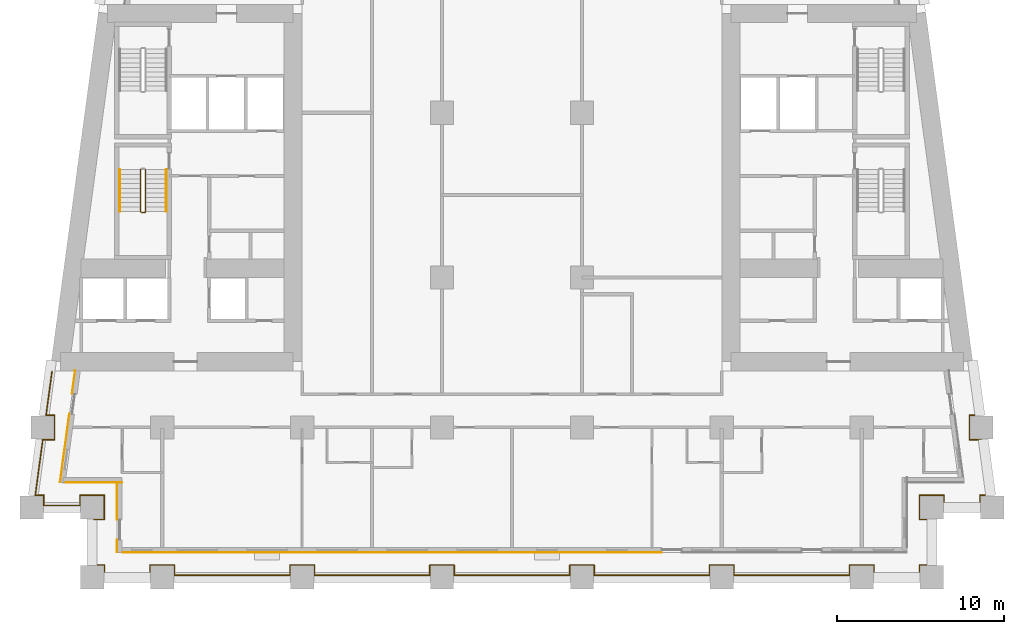
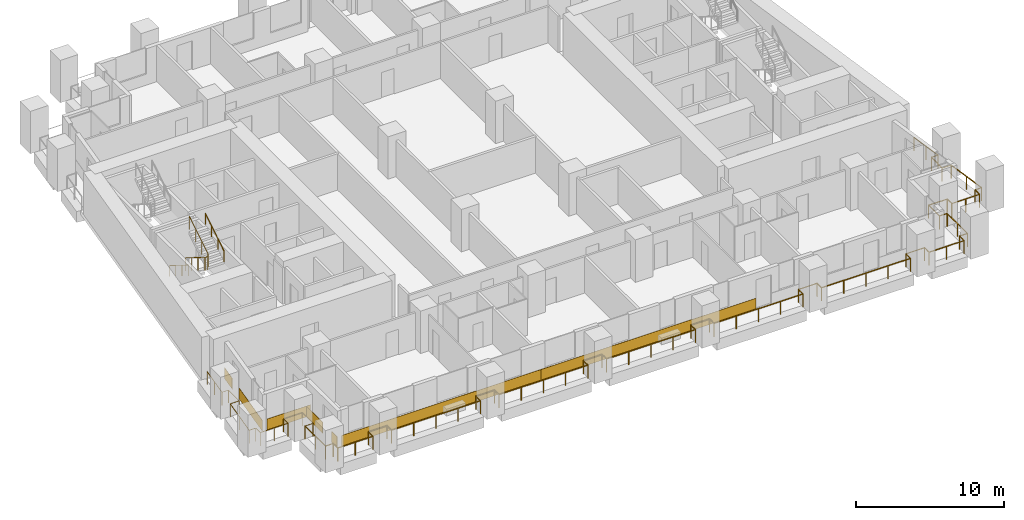
# One storey, part 8 of 12: 7 coverings, 5 railings.
"""IFC4 building model written with IfcOpenShell, lengths in metres."""

from ifc_helpers import new_model, si_unit, direction, frame, origin, origin_2d, place, context, subcontext, project, spatial, rectangle, circle, extrude, material, layer, layer_set, type_object, element, save


model = new_model("IFC4")

# Units and contexts
model_context = context("Model", 3, precision=1e-05, world=origin(), true_north=direction((0.0, 1.0)))
body_context = subcontext(model_context, "Body", "Model", "MODEL_VIEW")
ifc_project = project(units=[si_unit("LENGTHUNIT", "METRE"), si_unit("AREAUNIT", "SQUARE_METRE"), si_unit("VOLUMEUNIT", "CUBIC_METRE"), si_unit("PLANEANGLEUNIT", "RADIAN"), si_unit("MASSUNIT", "GRAM", prefix="KILO")], contexts=[model_context])

# Site, building, storey
site_placement = place(None, origin())
site = spatial("IfcSite", under=ifc_project, at=site_placement, CompositionType="ELEMENT")
building_placement = place(site_placement, origin())
building = spatial("IfcBuilding", under=site, at=building_placement, Name="Candeia Pilgrim Tower and Theatre", CompositionType="ELEMENT")
storey_placement = place(building_placement, frame((0.0, 0.0, 77.5)))
storey = spatial("IfcBuildingStorey", under=building, at=storey_placement, Name="L17", CompositionType="ELEMENT", Elevation=77.5)

# Railings
ifc_material_1 = material(Name="Stainless steel balustrade", Category="steel")
railing_type_1 = type_object("IfcRailingType", Name="G1 loggia guard 1100", PredefinedType="GUARDRAIL", material=ifc_material_1)
railing_1_placement = place(storey_placement, frame((88.320068359375, 101.469970703125, 0.0)))
element("IfcRailing", 1, at=railing_1_placement, inside=storey, type_object=railing_type_1, Name="Guard L17.1", PredefinedType="GUARDRAIL", context=body_context, shape_type="SweptSolid", body=[
    extrude(circle(Radius=0.02392578125, at=origin_2d()), frame((0.0, 0.0, 1.076171875), z_axis=(1.0, 0.0, 0.0), x_axis=(0.0, 1.0, 0.0)), (0.0, 0.0, 1.0), 0.60986328125),
    extrude(circle(Radius=0.02392578125, at=origin_2d()), frame((0.60986328125, 0.0, 1.076171875), z_axis=(0.0, 1.0, 0.0), x_axis=(-1.0, 0.0, 0.0)), (0.0, 0.0, 1.0), 1.4599609375),
    extrude(circle(Radius=0.02392578125, at=origin_2d()), frame((0.60986328125, 1.4599609375, 1.076171875), z_axis=(-1.0, 0.0, 0.0), x_axis=(0.0, -1.0, 0.0)), (0.0, 0.0, 1.0), 1.4599609375),
    extrude(circle(Radius=0.02392578125, at=origin_2d()), frame((-0.85009765625, 1.4599609375, 1.076171875), z_axis=(0.0, -1.0, 0.0), x_axis=(1.0, 0.0, 0.0)), (0.0, 0.0, 1.0), 0.60986328125),
    extrude(circle(Radius=0.02392578125, at=origin_2d()), frame((-0.85009765625, 0.85009765625, 1.076171875), z_axis=(-1.0, 0.0, 0.0), x_axis=(0.0, -1.0, 0.0)), (0.0, 0.0, 1.0), 2.174560546875),
    extrude(circle(Radius=0.02392578125, at=origin_2d()), frame((-3.024658203125, 0.85009765625, 1.076171875), z_axis=(0.0, 1.0, 0.0), x_axis=(-1.0, 0.0, 0.0)), (0.0, 0.0, 1.0), 0.60986328125),
    extrude(circle(Radius=0.02392578125, at=origin_2d()), frame((-3.024658203125, 1.4599609375, 1.076171875), z_axis=(-1.0, 0.0, 0.0), x_axis=(0.0, -1.0, 0.0)), (0.0, 0.0, 1.0), 0.5107421875),
    extrude(circle(Radius=0.02392578125, at=origin_2d()), frame((-3.535400390625, 1.4599609375, 1.076171875), z_axis=(0.133435273035, 0.991057530071, 0.0), x_axis=(-0.991057530071, 0.133435273035, 0.0)), (0.0, 0.0, 1.0), 3.3701171875),
    extrude(circle(Radius=0.02392578125, at=origin_2d()), frame((-3.085693359375, 4.800048828125, 1.076171875), z_axis=(1.0, 0.0, 0.0), x_axis=(0.0, 1.0, 0.0)), (0.0, 0.0, 1.0), 0.707275390625),
    extrude(circle(Radius=0.02392578125, at=origin_2d()), frame((-2.37841796875, 4.800048828125, 1.076171875), z_axis=(0.0, 1.0, 0.0), x_axis=(-1.0, 0.0, 0.0)), (0.0, 0.0, 1.0), 1.4599609375),
    extrude(circle(Radius=0.02392578125, at=origin_2d()), frame((-2.37841796875, 6.260009765625, 1.076171875), z_axis=(-1.0, 0.0, 0.0), x_axis=(0.0, -1.0, 0.0)), (0.0, 0.0, 1.0), 0.5107421875),
    extrude(circle(Radius=0.02392578125, at=origin_2d()), frame((-2.88916015625, 6.260009765625, 1.076171875), z_axis=(0.133439920495, 0.991056904329, 0.0), x_axis=(-0.991056904329, 0.133439920495, 0.0)), (0.0, 0.0, 1.0), 2.643798828125),
    extrude(circle(Radius=0.02099609375, at=origin_2d()), origin(), (0.0, 0.0, 1.0), 1.052001953125),
    extrude(circle(Radius=0.02099609375, at=origin_2d()), frame((0.60986328125, 0.0, 0.0)), (0.0, 0.0, 1.0), 1.052001953125),
    extrude(circle(Radius=0.02099609375, at=origin_2d()), frame((0.60986328125, 1.4599609375, 0.0)), (0.0, 0.0, 1.0), 1.052001953125),
    extrude(circle(Radius=0.02099609375, at=origin_2d()), frame((-0.85009765625, 1.4599609375, 0.0)), (0.0, 0.0, 1.0), 1.052001953125),
    extrude(circle(Radius=0.02099609375, at=origin_2d()), frame((-0.85009765625, 0.85009765625, 0.0)), (0.0, 0.0, 1.0), 1.052001953125),
    extrude(circle(Radius=0.02099609375, at=origin_2d()), frame((-1.9375, 0.85009765625, 0.0)), (0.0, 0.0, 1.0), 1.052001953125),
    extrude(circle(Radius=0.02099609375, at=origin_2d()), frame((-3.024658203125, 0.85009765625, 0.0)), (0.0, 0.0, 1.0), 1.052001953125),
    extrude(circle(Radius=0.02099609375, at=origin_2d()), frame((-3.024658203125, 1.4599609375, 0.0)), (0.0, 0.0, 1.0), 1.052001953125),
    extrude(circle(Radius=0.02099609375, at=origin_2d()), frame((-3.535400390625, 1.4599609375, 0.0)), (0.0, 0.0, 1.0), 1.052001953125),
    extrude(circle(Radius=0.02099609375, at=origin_2d()), frame((-3.310546875, 3.1298828125, 0.0)), (0.0, 0.0, 1.0), 1.052001953125),
    extrude(circle(Radius=0.02099609375, at=origin_2d()), frame((-3.085693359375, 4.800048828125, 0.0)), (0.0, 0.0, 1.0), 1.052001953125),
    extrude(circle(Radius=0.02099609375, at=origin_2d()), frame((-2.37841796875, 4.800048828125, 0.0)), (0.0, 0.0, 1.0), 1.052001953125),
    extrude(circle(Radius=0.02099609375, at=origin_2d()), frame((-2.37841796875, 6.260009765625, 0.0)), (0.0, 0.0, 1.0), 1.052001953125),
    extrude(circle(Radius=0.02099609375, at=origin_2d()), frame((-2.88916015625, 6.260009765625, 0.0)), (0.0, 0.0, 1.0), 1.052001953125),
    extrude(circle(Radius=0.02099609375, at=origin_2d()), frame((-2.712890625, 7.570068359375, 0.0)), (0.0, 0.0, 1.0), 1.052001953125),
    extrude(circle(Radius=0.02099609375, at=origin_2d()), frame((-2.536376953125, 8.880126953125, 0.0)), (0.0, 0.0, 1.0), 1.052001953125),
])
railing_2_placement = place(storey_placement, frame((141.016357421875, 110.35009765625, 0.0)))
element("IfcRailing", 2, at=railing_2_placement, inside=storey, type_object=railing_type_1, Name="Guard L17.4", PredefinedType="GUARDRAIL", context=body_context, shape_type="SweptSolid", body=[
    extrude(circle(Radius=0.02392578125, at=origin_2d()), frame((0.0, 0.0, 1.076171875), z_axis=(0.133439920495, -0.991056904329, 0.0), x_axis=(0.991056904329, 0.133439920495, 0.0)), (0.0, 0.0, 1.0), 2.643798828125),
    extrude(circle(Radius=0.02392578125, at=origin_2d()), frame((0.352783203125, -2.6201171875, 1.076171875), z_axis=(-1.0, 0.0, 0.0), x_axis=(0.0, -1.0, 0.0)), (0.0, 0.0, 1.0), 0.5107421875),
    extrude(circle(Radius=0.02392578125, at=origin_2d()), frame((-0.157958984375, -2.6201171875, 1.076171875), z_axis=(0.0, -1.0, 0.0), x_axis=(1.0, 0.0, 0.0)), (0.0, 0.0, 1.0), 1.4599609375),
    extrude(circle(Radius=0.02392578125, at=origin_2d()), frame((-0.157958984375, -4.080078125, 1.076171875), z_axis=(1.0, 0.0, 0.0), x_axis=(0.0, 1.0, 0.0)), (0.0, 0.0, 1.0), 0.707275390625),
    extrude(circle(Radius=0.02392578125, at=origin_2d()), frame((0.54931640625, -4.080078125, 1.076171875), z_axis=(0.133435273035, -0.991057530071, 0.0), x_axis=(0.991057530071, 0.133435273035, 0.0)), (0.0, 0.0, 1.0), 3.3701171875),
    extrude(circle(Radius=0.02392578125, at=origin_2d()), frame((0.9990234375, -7.420166015625, 1.076171875), z_axis=(-1.0, 0.0, 0.0), x_axis=(0.0, -1.0, 0.0)), (0.0, 0.0, 1.0), 0.5107421875),
    extrude(circle(Radius=0.02392578125, at=origin_2d()), frame((0.48828125, -7.420166015625, 1.076171875), z_axis=(0.0, -1.0, 0.0), x_axis=(1.0, 0.0, 0.0)), (0.0, 0.0, 1.0), 0.60986328125),
    extrude(circle(Radius=0.02392578125, at=origin_2d()), frame((0.48828125, -8.030029296875, 1.076171875), z_axis=(-1.0, 0.0, 0.0), x_axis=(0.0, -1.0, 0.0)), (0.0, 0.0, 1.0), 2.174560546875),
    extrude(circle(Radius=0.02392578125, at=origin_2d()), frame((-1.686279296875, -8.030029296875, 1.076171875), z_axis=(0.0, 1.0, 0.0), x_axis=(-1.0, 0.0, 0.0)), (0.0, 0.0, 1.0), 0.60986328125),
    extrude(circle(Radius=0.02392578125, at=origin_2d()), frame((-1.686279296875, -7.420166015625, 1.076171875), z_axis=(-1.0, 0.0, 0.0), x_axis=(0.0, -1.0, 0.0)), (0.0, 0.0, 1.0), 1.4599609375),
    extrude(circle(Radius=0.02392578125, at=origin_2d()), frame((-3.146240234375, -7.420166015625, 1.076171875), z_axis=(0.0, -1.0, 0.0), x_axis=(1.0, 0.0, 0.0)), (0.0, 0.0, 1.0), 1.4599609375),
    extrude(circle(Radius=0.02392578125, at=origin_2d()), frame((-3.146240234375, -8.880126953125, 1.076171875), z_axis=(1.0, 0.0, 0.0), x_axis=(0.0, 1.0, 0.0)), (0.0, 0.0, 1.0), 0.60986328125),
    extrude(circle(Radius=0.02392578125, at=origin_2d()), frame((-2.536376953125, -8.880126953125, 1.076171875), z_axis=(0.0, -1.0, 0.0), x_axis=(1.0, 0.0, 0.0)), (0.0, 0.0, 1.0), 2.739990234375),
    extrude(circle(Radius=0.02392578125, at=origin_2d()), frame((-2.536376953125, -11.6201171875, 1.076171875), z_axis=(-1.0, 0.0, 0.0), x_axis=(0.0, -1.0, 0.0)), (0.0, 0.0, 1.0), 0.60986328125),
    extrude(circle(Radius=0.02392578125, at=origin_2d()), frame((-3.146240234375, -11.6201171875, 1.076171875), z_axis=(0.0, -1.0, 0.0), x_axis=(1.0, 0.0, 0.0)), (0.0, 0.0, 1.0), 0.60986328125),
    extrude(circle(Radius=0.02392578125, at=origin_2d()), frame((-3.146240234375, -12.22998046875, 1.076171875), z_axis=(-1.0, 0.0, 0.0), x_axis=(0.0, -1.0, 0.0)), (0.0, 0.0, 1.0), 2.740234375),
    extrude(circle(Radius=0.02392578125, at=origin_2d()), frame((-5.886474609375, -12.22998046875, 1.076171875), z_axis=(0.0, 1.0, 0.0), x_axis=(-1.0, 0.0, 0.0)), (0.0, 0.0, 1.0), 0.60986328125),
    extrude(circle(Radius=0.02392578125, at=origin_2d()), frame((-5.886474609375, -11.6201171875, 1.076171875), z_axis=(-1.0, 0.0, 0.0), x_axis=(0.0, -1.0, 0.0)), (0.0, 0.0, 1.0), 1.4599609375),
    extrude(circle(Radius=0.02392578125, at=origin_2d()), frame((-7.346435546875, -11.6201171875, 1.076171875), z_axis=(0.0, -1.0, 0.0), x_axis=(1.0, 0.0, 0.0)), (0.0, 0.0, 1.0), 0.60986328125),
    extrude(circle(Radius=0.02392578125, at=origin_2d()), frame((-7.346435546875, -12.22998046875, 1.076171875), z_axis=(-1.0, 0.0, 0.0), x_axis=(0.0, -1.0, 0.0)), (0.0, 0.0, 1.0), 6.93994140625),
    extrude(circle(Radius=0.02392578125, at=origin_2d()), frame((-14.286376953125, -12.22998046875, 1.076171875), z_axis=(0.0, 1.0, 0.0), x_axis=(-1.0, 0.0, 0.0)), (0.0, 0.0, 1.0), 0.60986328125),
    extrude(circle(Radius=0.02392578125, at=origin_2d()), frame((-14.286376953125, -11.6201171875, 1.076171875), z_axis=(-1.0, 0.0, 0.0), x_axis=(0.0, -1.0, 0.0)), (0.0, 0.0, 1.0), 1.4599609375),
    extrude(circle(Radius=0.02392578125, at=origin_2d()), frame((-15.746337890625, -11.6201171875, 1.076171875), z_axis=(0.0, -1.0, 0.0), x_axis=(1.0, 0.0, 0.0)), (0.0, 0.0, 1.0), 0.60986328125),
    extrude(circle(Radius=0.02392578125, at=origin_2d()), frame((-15.746337890625, -12.22998046875, 1.076171875), z_axis=(-1.0, 0.0, 0.0), x_axis=(0.0, -1.0, 0.0)), (0.0, 0.0, 1.0), 6.93994140625),
    extrude(circle(Radius=0.02392578125, at=origin_2d()), frame((-22.686279296875, -12.22998046875, 1.076171875), z_axis=(0.0, 1.0, 0.0), x_axis=(-1.0, 0.0, 0.0)), (0.0, 0.0, 1.0), 0.60986328125),
    extrude(circle(Radius=0.02392578125, at=origin_2d()), frame((-22.686279296875, -11.6201171875, 1.076171875), z_axis=(-1.0, 0.0, 0.0), x_axis=(0.0, -1.0, 0.0)), (0.0, 0.0, 1.0), 1.4599609375),
    extrude(circle(Radius=0.02392578125, at=origin_2d()), frame((-24.146240234375, -11.6201171875, 1.076171875), z_axis=(0.0, -1.0, 0.0), x_axis=(1.0, 0.0, 0.0)), (0.0, 0.0, 1.0), 0.60986328125),
    extrude(circle(Radius=0.02392578125, at=origin_2d()), frame((-24.146240234375, -12.22998046875, 1.076171875), z_axis=(-1.0, 0.0, 0.0), x_axis=(0.0, -1.0, 0.0)), (0.0, 0.0, 1.0), 6.940185546875),
    extrude(circle(Radius=0.02392578125, at=origin_2d()), frame((-31.08642578125, -12.22998046875, 1.076171875), z_axis=(0.0, 1.0, 0.0), x_axis=(-1.0, 0.0, 0.0)), (0.0, 0.0, 1.0), 0.60986328125),
    extrude(circle(Radius=0.02392578125, at=origin_2d()), frame((-31.08642578125, -11.6201171875, 1.076171875), z_axis=(-1.0, 0.0, 0.0), x_axis=(0.0, -1.0, 0.0)), (0.0, 0.0, 1.0), 1.4599609375),
    extrude(circle(Radius=0.02392578125, at=origin_2d()), frame((-32.54638671875, -11.6201171875, 1.076171875), z_axis=(0.0, -1.0, 0.0), x_axis=(1.0, 0.0, 0.0)), (0.0, 0.0, 1.0), 0.60986328125),
    extrude(circle(Radius=0.02392578125, at=origin_2d()), frame((-32.54638671875, -12.22998046875, 1.076171875), z_axis=(-1.0, 0.0, 0.0), x_axis=(0.0, -1.0, 0.0)), (0.0, 0.0, 1.0), 6.93994140625),
    extrude(circle(Radius=0.02392578125, at=origin_2d()), frame((-39.486328125, -12.22998046875, 1.076171875), z_axis=(0.0, 1.0, 0.0), x_axis=(-1.0, 0.0, 0.0)), (0.0, 0.0, 1.0), 0.60986328125),
    extrude(circle(Radius=0.02392578125, at=origin_2d()), frame((-39.486328125, -11.6201171875, 1.076171875), z_axis=(-1.0, 0.0, 0.0), x_axis=(0.0, -1.0, 0.0)), (0.0, 0.0, 1.0), 1.4599609375),
    extrude(circle(Radius=0.02392578125, at=origin_2d()), frame((-40.9462890625, -11.6201171875, 1.076171875), z_axis=(0.0, -1.0, 0.0), x_axis=(1.0, 0.0, 0.0)), (0.0, 0.0, 1.0), 0.60986328125),
    extrude(circle(Radius=0.02392578125, at=origin_2d()), frame((-40.9462890625, -12.22998046875, 1.076171875), z_axis=(-1.0, 0.0, 0.0), x_axis=(0.0, -1.0, 0.0)), (0.0, 0.0, 1.0), 6.940185546875),
    extrude(circle(Radius=0.02392578125, at=origin_2d()), frame((-47.886474609375, -12.22998046875, 1.076171875), z_axis=(0.0, 1.0, 0.0), x_axis=(-1.0, 0.0, 0.0)), (0.0, 0.0, 1.0), 0.60986328125),
    extrude(circle(Radius=0.02392578125, at=origin_2d()), frame((-47.886474609375, -11.6201171875, 1.076171875), z_axis=(-1.0, 0.0, 0.0), x_axis=(0.0, -1.0, 0.0)), (0.0, 0.0, 1.0), 1.4599609375),
    extrude(circle(Radius=0.02392578125, at=origin_2d()), frame((-49.346435546875, -11.6201171875, 1.076171875), z_axis=(0.0, -1.0, 0.0), x_axis=(1.0, 0.0, 0.0)), (0.0, 0.0, 1.0), 0.60986328125),
    extrude(circle(Radius=0.02392578125, at=origin_2d()), frame((-49.346435546875, -12.22998046875, 1.076171875), z_axis=(-1.0, 0.0, 0.0), x_axis=(0.0, -1.0, 0.0)), (0.0, 0.0, 1.0), 2.739990234375),
    extrude(circle(Radius=0.02392578125, at=origin_2d()), frame((-52.08642578125, -12.22998046875, 1.076171875), z_axis=(0.0, 1.0, 0.0), x_axis=(-1.0, 0.0, 0.0)), (0.0, 0.0, 1.0), 0.60986328125),
    extrude(circle(Radius=0.02392578125, at=origin_2d()), frame((-52.08642578125, -11.6201171875, 1.076171875), z_axis=(-1.0, 0.0, 0.0), x_axis=(0.0, -1.0, 0.0)), (0.0, 0.0, 1.0), 0.60986328125),
    extrude(circle(Radius=0.02392578125, at=origin_2d()), frame((-52.6962890625, -11.6201171875, 1.076171875), z_axis=(0.0, 1.0, 0.0), x_axis=(-1.0, 0.0, 0.0)), (0.0, 0.0, 1.0), 2.739990234375),
    extrude(circle(Radius=0.02099609375, at=origin_2d()), origin(), (0.0, 0.0, 1.0), 1.052001953125),
    extrude(circle(Radius=0.02099609375, at=origin_2d()), frame((0.17626953125, -1.31005859375, 0.0)), (0.0, 0.0, 1.0), 1.052001953125),
    extrude(circle(Radius=0.02099609375, at=origin_2d()), frame((0.352783203125, -2.6201171875, 0.0)), (0.0, 0.0, 1.0), 1.052001953125),
    extrude(circle(Radius=0.02099609375, at=origin_2d()), frame((-0.157958984375, -2.6201171875, 0.0)), (0.0, 0.0, 1.0), 1.052001953125),
    extrude(circle(Radius=0.02099609375, at=origin_2d()), frame((-0.157958984375, -4.080078125, 0.0)), (0.0, 0.0, 1.0), 1.052001953125),
    extrude(circle(Radius=0.02099609375, at=origin_2d()), frame((0.54931640625, -4.080078125, 0.0)), (0.0, 0.0, 1.0), 1.052001953125),
    extrude(circle(Radius=0.02099609375, at=origin_2d()), frame((0.774169921875, -5.75, 0.0)), (0.0, 0.0, 1.0), 1.052001953125),
    extrude(circle(Radius=0.02099609375, at=origin_2d()), frame((0.9990234375, -7.420166015625, 0.0)), (0.0, 0.0, 1.0), 1.052001953125),
    extrude(circle(Radius=0.02099609375, at=origin_2d()), frame((0.48828125, -7.420166015625, 0.0)), (0.0, 0.0, 1.0), 1.052001953125),
    extrude(circle(Radius=0.02099609375, at=origin_2d()), frame((0.48828125, -8.030029296875, 0.0)), (0.0, 0.0, 1.0), 1.052001953125),
    extrude(circle(Radius=0.02099609375, at=origin_2d()), frame((-0.59912109375, -8.030029296875, 0.0)), (0.0, 0.0, 1.0), 1.052001953125),
    extrude(circle(Radius=0.02099609375, at=origin_2d()), frame((-1.686279296875, -8.030029296875, 0.0)), (0.0, 0.0, 1.0), 1.052001953125),
    extrude(circle(Radius=0.02099609375, at=origin_2d()), frame((-1.686279296875, -7.420166015625, 0.0)), (0.0, 0.0, 1.0), 1.052001953125),
    extrude(circle(Radius=0.02099609375, at=origin_2d()), frame((-3.146240234375, -7.420166015625, 0.0)), (0.0, 0.0, 1.0), 1.052001953125),
    extrude(circle(Radius=0.02099609375, at=origin_2d()), frame((-3.146240234375, -8.880126953125, 0.0)), (0.0, 0.0, 1.0), 1.052001953125),
    extrude(circle(Radius=0.02099609375, at=origin_2d()), frame((-2.536376953125, -8.880126953125, 0.0)), (0.0, 0.0, 1.0), 1.052001953125),
    extrude(circle(Radius=0.02099609375, at=origin_2d()), frame((-2.536376953125, -10.25, 0.0)), (0.0, 0.0, 1.0), 1.052001953125),
    extrude(circle(Radius=0.02099609375, at=origin_2d()), frame((-2.536376953125, -11.6201171875, 0.0)), (0.0, 0.0, 1.0), 1.052001953125),
    extrude(circle(Radius=0.02099609375, at=origin_2d()), frame((-3.146240234375, -11.6201171875, 0.0)), (0.0, 0.0, 1.0), 1.052001953125),
    extrude(circle(Radius=0.02099609375, at=origin_2d()), frame((-3.146240234375, -12.22998046875, 0.0)), (0.0, 0.0, 1.0), 1.052001953125),
    extrude(circle(Radius=0.02099609375, at=origin_2d()), frame((-4.516357421875, -12.22998046875, 0.0)), (0.0, 0.0, 1.0), 1.052001953125),
    extrude(circle(Radius=0.02099609375, at=origin_2d()), frame((-5.886474609375, -12.22998046875, 0.0)), (0.0, 0.0, 1.0), 1.052001953125),
    extrude(circle(Radius=0.02099609375, at=origin_2d()), frame((-5.886474609375, -11.6201171875, 0.0)), (0.0, 0.0, 1.0), 1.052001953125),
    extrude(circle(Radius=0.02099609375, at=origin_2d()), frame((-7.346435546875, -11.6201171875, 0.0)), (0.0, 0.0, 1.0), 1.052001953125),
    extrude(circle(Radius=0.02099609375, at=origin_2d()), frame((-7.346435546875, -12.22998046875, 0.0)), (0.0, 0.0, 1.0), 1.052001953125),
    extrude(circle(Radius=0.02099609375, at=origin_2d()), frame((-9.08154296875, -12.22998046875, 0.0)), (0.0, 0.0, 1.0), 1.052001953125),
    extrude(circle(Radius=0.02099609375, at=origin_2d()), frame((-10.81640625, -12.22998046875, 0.0)), (0.0, 0.0, 1.0), 1.052001953125),
    extrude(circle(Radius=0.02099609375, at=origin_2d()), frame((-12.55126953125, -12.22998046875, 0.0)), (0.0, 0.0, 1.0), 1.052001953125),
    extrude(circle(Radius=0.02099609375, at=origin_2d()), frame((-14.286376953125, -12.22998046875, 0.0)), (0.0, 0.0, 1.0), 1.052001953125),
    extrude(circle(Radius=0.02099609375, at=origin_2d()), frame((-14.286376953125, -11.6201171875, 0.0)), (0.0, 0.0, 1.0), 1.052001953125),
    extrude(circle(Radius=0.02099609375, at=origin_2d()), frame((-15.746337890625, -11.6201171875, 0.0)), (0.0, 0.0, 1.0), 1.052001953125),
    extrude(circle(Radius=0.02099609375, at=origin_2d()), frame((-15.746337890625, -12.22998046875, 0.0)), (0.0, 0.0, 1.0), 1.052001953125),
    extrude(circle(Radius=0.02099609375, at=origin_2d()), frame((-17.4814453125, -12.22998046875, 0.0)), (0.0, 0.0, 1.0), 1.052001953125),
    extrude(circle(Radius=0.02099609375, at=origin_2d()), frame((-19.21630859375, -12.22998046875, 0.0)), (0.0, 0.0, 1.0), 1.052001953125),
    extrude(circle(Radius=0.02099609375, at=origin_2d()), frame((-20.951171875, -12.22998046875, 0.0)), (0.0, 0.0, 1.0), 1.052001953125),
    extrude(circle(Radius=0.02099609375, at=origin_2d()), frame((-22.686279296875, -12.22998046875, 0.0)), (0.0, 0.0, 1.0), 1.052001953125),
    extrude(circle(Radius=0.02099609375, at=origin_2d()), frame((-22.686279296875, -11.6201171875, 0.0)), (0.0, 0.0, 1.0), 1.052001953125),
    extrude(circle(Radius=0.02099609375, at=origin_2d()), frame((-24.146240234375, -11.6201171875, 0.0)), (0.0, 0.0, 1.0), 1.052001953125),
    extrude(circle(Radius=0.02099609375, at=origin_2d()), frame((-24.146240234375, -12.22998046875, 0.0)), (0.0, 0.0, 1.0), 1.052001953125),
    extrude(circle(Radius=0.02099609375, at=origin_2d()), frame((-25.88134765625, -12.22998046875, 0.0)), (0.0, 0.0, 1.0), 1.052001953125),
    extrude(circle(Radius=0.02099609375, at=origin_2d()), frame((-27.6162109375, -12.22998046875, 0.0)), (0.0, 0.0, 1.0), 1.052001953125),
    extrude(circle(Radius=0.02099609375, at=origin_2d()), frame((-29.351318359375, -12.22998046875, 0.0)), (0.0, 0.0, 1.0), 1.052001953125),
    extrude(circle(Radius=0.02099609375, at=origin_2d()), frame((-31.08642578125, -12.22998046875, 0.0)), (0.0, 0.0, 1.0), 1.052001953125),
    extrude(circle(Radius=0.02099609375, at=origin_2d()), frame((-31.08642578125, -11.6201171875, 0.0)), (0.0, 0.0, 1.0), 1.052001953125),
    extrude(circle(Radius=0.02099609375, at=origin_2d()), frame((-32.54638671875, -11.6201171875, 0.0)), (0.0, 0.0, 1.0), 1.052001953125),
    extrude(circle(Radius=0.02099609375, at=origin_2d()), frame((-32.54638671875, -12.22998046875, 0.0)), (0.0, 0.0, 1.0), 1.052001953125),
    extrude(circle(Radius=0.02099609375, at=origin_2d()), frame((-34.28125, -12.22998046875, 0.0)), (0.0, 0.0, 1.0), 1.052001953125),
    extrude(circle(Radius=0.02099609375, at=origin_2d()), frame((-36.016357421875, -12.22998046875, 0.0)), (0.0, 0.0, 1.0), 1.052001953125),
    extrude(circle(Radius=0.02099609375, at=origin_2d()), frame((-37.75146484375, -12.22998046875, 0.0)), (0.0, 0.0, 1.0), 1.052001953125),
    extrude(circle(Radius=0.02099609375, at=origin_2d()), frame((-39.486328125, -12.22998046875, 0.0)), (0.0, 0.0, 1.0), 1.052001953125),
    extrude(circle(Radius=0.02099609375, at=origin_2d()), frame((-39.486328125, -11.6201171875, 0.0)), (0.0, 0.0, 1.0), 1.052001953125),
    extrude(circle(Radius=0.02099609375, at=origin_2d()), frame((-40.9462890625, -11.6201171875, 0.0)), (0.0, 0.0, 1.0), 1.052001953125),
    extrude(circle(Radius=0.02099609375, at=origin_2d()), frame((-40.9462890625, -12.22998046875, 0.0)), (0.0, 0.0, 1.0), 1.052001953125),
    extrude(circle(Radius=0.02099609375, at=origin_2d()), frame((-42.681396484375, -12.22998046875, 0.0)), (0.0, 0.0, 1.0), 1.052001953125),
    extrude(circle(Radius=0.02099609375, at=origin_2d()), frame((-44.41650390625, -12.22998046875, 0.0)), (0.0, 0.0, 1.0), 1.052001953125),
    extrude(circle(Radius=0.02099609375, at=origin_2d()), frame((-46.1513671875, -12.22998046875, 0.0)), (0.0, 0.0, 1.0), 1.052001953125),
    extrude(circle(Radius=0.02099609375, at=origin_2d()), frame((-47.886474609375, -12.22998046875, 0.0)), (0.0, 0.0, 1.0), 1.052001953125),
    extrude(circle(Radius=0.02099609375, at=origin_2d()), frame((-47.886474609375, -11.6201171875, 0.0)), (0.0, 0.0, 1.0), 1.052001953125),
    extrude(circle(Radius=0.02099609375, at=origin_2d()), frame((-49.346435546875, -11.6201171875, 0.0)), (0.0, 0.0, 1.0), 1.052001953125),
    extrude(circle(Radius=0.02099609375, at=origin_2d()), frame((-49.346435546875, -12.22998046875, 0.0)), (0.0, 0.0, 1.0), 1.052001953125),
    extrude(circle(Radius=0.02099609375, at=origin_2d()), frame((-50.71630859375, -12.22998046875, 0.0)), (0.0, 0.0, 1.0), 1.052001953125),
    extrude(circle(Radius=0.02099609375, at=origin_2d()), frame((-52.08642578125, -12.22998046875, 0.0)), (0.0, 0.0, 1.0), 1.052001953125),
    extrude(circle(Radius=0.02099609375, at=origin_2d()), frame((-52.08642578125, -11.6201171875, 0.0)), (0.0, 0.0, 1.0), 1.052001953125),
    extrude(circle(Radius=0.02099609375, at=origin_2d()), frame((-52.6962890625, -11.6201171875, 0.0)), (0.0, 0.0, 1.0), 1.052001953125),
    extrude(circle(Radius=0.02099609375, at=origin_2d()), frame((-52.6962890625, -10.25, 0.0)), (0.0, 0.0, 1.0), 1.052001953125),
    extrude(circle(Radius=0.02099609375, at=origin_2d()), frame((-52.6962890625, -8.880126953125, 0.0)), (0.0, 0.0, 1.0), 1.052001953125),
])

# Coverings
ifc_material_2 = material(Name="Glazed ceramic tile deep red")
ifc_layer_1 = layer(ifc_material_2, 0.02001953125)
ifc_layer_set_1 = layer_set([ifc_layer_1], Name="Glazed ceramic tile deep red")
covering_type_1 = type_object("IfcCoveringType", Name="Glazed ceramic tile deep red", PredefinedType="CLADDING", material=ifc_layer_set_1)
covering_1_placement = place(storey_placement, frame((97.81005859375, 99.489990234375, 0.0), z_axis=(0.0, 0.0, 1.0), x_axis=(1.0, 0.0, 0.0)))
element("IfcCovering", 3, at=covering_1_placement, inside=storey, type_object=covering_type_1, Name="Tile cladding deep red L17", PredefinedType="CLADDING", context=body_context, shape_type="SweptSolid", body=[
    extrude(rectangle(XDim=15.580078125, YDim=0.02001953125, at=origin_2d()), origin(), (0.0, 0.0, 1.0), 0.89990234375),
])
covering_2_placement = place(storey_placement, frame((87.0810546875, 109.71875, 0.0), z_axis=(0.0, 0.0, 1.0), x_axis=(-0.133412012145, -0.991060661622, 0.0)))
element("IfcCovering", 4, at=covering_2_placement, inside=storey, type_object=covering_type_1, Name="Tile cladding deep red L17", PredefinedType="CLADDING", context=body_context, shape_type="SweptSolid", body=[
    extrude(rectangle(XDim=1.41796875, YDim=0.02001953125, at=origin_2d()), origin(), (0.0, 0.0, 1.0), 0.89990234375),
])
covering_3_placement = place(storey_placement, frame((86.548583984375, 105.763916015625, 0.0), z_axis=(0.0, 0.0, 1.0), x_axis=(-0.133412012145, -0.991060661622, 0.0)))
element("IfcCovering", 5, at=covering_3_placement, inside=storey, type_object=covering_type_1, Name="Tile cladding deep red L17", PredefinedType="CLADDING", context=body_context, shape_type="SweptSolid", body=[
    extrude(rectangle(XDim=4.16259765625, YDim=0.02001953125, at=origin_2d()), origin(), (0.0, 0.0, 1.0), 0.89990234375),
])
covering_4_placement = place(storey_placement, frame((88.311279296875, 103.68994140625, 0.0), z_axis=(0.0, 0.0, 1.0), x_axis=(1.0, 0.0, 0.0)))
element("IfcCovering", 6, at=covering_4_placement, inside=storey, type_object=covering_type_1, Name="Tile cladding deep red L17", PredefinedType="CLADDING", context=body_context, shape_type="SweptSolid", body=[
    extrude(rectangle(XDim=3.377685546875, YDim=0.02001953125, at=origin_2d()), origin(), (0.0, 0.0, 1.0), 0.89990234375),
])
covering_5_placement = place(storey_placement, frame((89.68994140625, 102.56494140625, 0.0), z_axis=(0.0, 0.0, 1.0), x_axis=(0.0, -1.0, 0.0)))
element("IfcCovering", 7, at=covering_5_placement, inside=storey, type_object=covering_type_1, Name="Tile cladding deep red L17", PredefinedType="CLADDING", context=body_context, shape_type="SweptSolid", body=[
    extrude(rectangle(XDim=2.22998046875, YDim=0.02001953125, at=origin_2d()), origin(), (0.0, 0.0, 1.0), 0.89990234375),
])
covering_6_placement = place(storey_placement, frame((89.68994140625, 99.875, 0.0), z_axis=(0.0, 0.0, 1.0), x_axis=(0.0, -1.0, 0.0)))
element("IfcCovering", 8, at=covering_6_placement, inside=storey, type_object=covering_type_1, Name="Tile cladding deep red L17", PredefinedType="CLADDING", context=body_context, shape_type="SweptSolid", body=[
    extrude(rectangle(XDim=0.75, YDim=0.02001953125, at=origin_2d()), origin(), (0.0, 0.0, 1.0), 0.89990234375),
])
ifc_material_3 = material(Name="Glazed ceramic tile red")
ifc_layer_2 = layer(ifc_material_3, 0.02001953125)
ifc_layer_set_2 = layer_set([ifc_layer_2], Name="Glazed ceramic tile red")
covering_type_2 = type_object("IfcCoveringType", Name="Glazed ceramic tile red", PredefinedType="CLADDING", material=ifc_layer_set_2)
covering_7_placement = place(storey_placement, frame((114.0, 99.489990234375, 0.0), z_axis=(0.0, 0.0, 1.0), x_axis=(1.0, 0.0, 0.0)))
element("IfcCovering", 9, at=covering_7_placement, inside=storey, type_object=covering_type_2, Name="Tile cladding red L17", PredefinedType="CLADDING", context=body_context, shape_type="SweptSolid", body=[
    extrude(rectangle(XDim=16.800048828125, YDim=0.02001953125, at=origin_2d()), origin(), (0.0, 0.0, 1.0), 0.89990234375),
])

# Railings
railing_type_2 = type_object("IfcRailingType", Name="RL-GUARD-1100", PredefinedType="GUARDRAIL", material=ifc_material_1)
railing_3_placement = place(storey_placement, frame((91.10205078125, 122.47509765625, 0.175048828125)))
element("IfcRailing", 10, at=railing_3_placement, inside=storey, type_object=railing_type_2, Name="L17 ST1 stair guard 1", PredefinedType="GUARDRAIL", context=body_context, shape_type="SweptSolid", body=[
    extrude(circle(Radius=0.02392578125, at=origin_2d()), frame((0.0, 0.0, 1.076171875), z_axis=(0.0, -0.848007534815, 0.529984170421), x_axis=(1.0, 0.0, 0.0)), (0.0, 0.0, 1.0), 2.9716796875),
    extrude(circle(Radius=0.02392578125, at=origin_2d()), frame((0.0, -2.52001953125, 2.65087890625), z_axis=(0.707106781187, -0.707106781187, 0.0), x_axis=(0.707106781187, 0.707106781187, 0.0)), (0.0, 0.0, 1.0), 0.07080078125),
    extrude(circle(Radius=0.02392578125, at=origin_2d()), frame((0.050048828125, -2.570068359375, 2.65087890625), z_axis=(1.0, 0.0, 0.0), x_axis=(0.0, 1.0, 0.0)), (0.0, 0.0, 1.0), 0.199951171875),
    extrude(circle(Radius=0.02392578125, at=origin_2d()), frame((0.25, -2.570068359375, 2.65087890625), z_axis=(0.265065253269, 0.265065253269, 0.927081885822), x_axis=(-0.707106781187, 0.707106781187, 0.0)), (0.0, 0.0, 1.0), 0.188720703125),
    extrude(circle(Radius=0.02392578125, at=origin_2d()), frame((0.300048828125, -2.52001953125, 2.826171875), z_axis=(0.0, 0.848007534815, 0.529984170421), x_axis=(-1.0, 0.0, 0.0)), (0.0, 0.0, 1.0), 2.9716796875),
    extrude(circle(Radius=0.02099609375, at=origin_2d()), origin(), (0.0, 0.0, 1.0), 1.052001953125),
    extrude(circle(Radius=0.02099609375, at=origin_2d()), frame((0.0, -0.840087890625, 0.52490234375)), (0.0, 0.0, 1.0), 1.052001953125),
    extrude(circle(Radius=0.02099609375, at=origin_2d()), frame((0.0, -1.679931640625, 1.050048828125)), (0.0, 0.0, 1.0), 1.052001953125),
    extrude(circle(Radius=0.02099609375, at=origin_2d()), frame((0.0, -2.52001953125, 1.574951171875)), (0.0, 0.0, 1.0), 1.052001953125),
    extrude(circle(Radius=0.02099609375, at=origin_2d()), frame((0.050048828125, -2.570068359375, 1.574951171875)), (0.0, 0.0, 1.0), 1.052001953125),
    extrude(circle(Radius=0.02099609375, at=origin_2d()), frame((0.25, -2.570068359375, 1.574951171875)), (0.0, 0.0, 1.0), 1.052001953125),
    extrude(circle(Radius=0.02099609375, at=origin_2d()), frame((0.300048828125, -2.52001953125, 1.75)), (0.0, 0.0, 1.0), 1.052001953125),
    extrude(circle(Radius=0.02099609375, at=origin_2d()), frame((0.300048828125, -1.679931640625, 2.27490234375)), (0.0, 0.0, 1.0), 1.052001953125),
    extrude(circle(Radius=0.02099609375, at=origin_2d()), frame((0.300048828125, -0.840087890625, 2.800048828125)), (0.0, 0.0, 1.0), 1.052001953125),
    extrude(circle(Radius=0.02099609375, at=origin_2d()), frame((0.300048828125, 0.0, 3.324951171875)), (0.0, 0.0, 1.0), 1.052001953125),
])
ifc_material_4 = material(Name="Stainless steel handrail", Category="steel")
railing_type_3 = type_object("IfcRailingType", Name="RL-HANDRAIL-900", PredefinedType="HANDRAIL", material=ifc_material_4)
railing_4_placement = place(storey_placement, frame((89.85205078125, 122.47509765625, 0.175048828125)))
element("IfcRailing", 11, at=railing_4_placement, inside=storey, type_object=railing_type_3, Name="L17 ST1 stair handrail 1", PredefinedType="HANDRAIL", context=body_context, shape_type="SweptSolid", body=[
    extrude(circle(Radius=0.02392578125, at=origin_2d()), frame((0.0, 0.0, 0.8759765625), z_axis=(0.0, -0.848007534815, 0.529984170421), x_axis=(1.0, 0.0, 0.0)), (0.0, 0.0, 1.0), 2.9716796875),
    extrude(circle(Radius=0.02099609375, at=origin_2d()), origin(), (0.0, 0.0, 1.0), 0.851806640625),
    extrude(circle(Radius=0.02099609375, at=origin_2d()), frame((0.0, -0.840087890625, 0.52490234375)), (0.0, 0.0, 1.0), 0.851806640625),
    extrude(circle(Radius=0.02099609375, at=origin_2d()), frame((0.0, -1.679931640625, 1.050048828125)), (0.0, 0.0, 1.0), 0.851806640625),
    extrude(circle(Radius=0.02099609375, at=origin_2d()), frame((0.0, -2.52001953125, 1.574951171875)), (0.0, 0.0, 1.0), 0.851806640625),
])
railing_5_placement = place(storey_placement, frame((92.652099609375, 119.955078125, 1.925048828125)))
element("IfcRailing", 12, at=railing_5_placement, inside=storey, type_object=railing_type_3, Name="L17 ST1 stair handrail 2", PredefinedType="HANDRAIL", context=body_context, shape_type="SweptSolid", body=[
    extrude(circle(Radius=0.02392578125, at=origin_2d()), frame((0.0, 0.0, 0.8759765625), z_axis=(0.0, 0.848007534815, 0.529984170421), x_axis=(-1.0, 0.0, 0.0)), (0.0, 0.0, 1.0), 2.9716796875),
    extrude(circle(Radius=0.02099609375, at=origin_2d()), origin(), (0.0, 0.0, 1.0), 0.851806640625),
    extrude(circle(Radius=0.02099609375, at=origin_2d()), frame((0.0, 0.840087890625, 0.52490234375)), (0.0, 0.0, 1.0), 0.851806640625),
    extrude(circle(Radius=0.02099609375, at=origin_2d()), frame((0.0, 1.679931640625, 1.050048828125)), (0.0, 0.0, 1.0), 0.851806640625),
    extrude(circle(Radius=0.02099609375, at=origin_2d()), frame((0.0, 2.52001953125, 1.574951171875)), (0.0, 0.0, 1.0), 0.851806640625),
])

save(model, "model.ifc")
